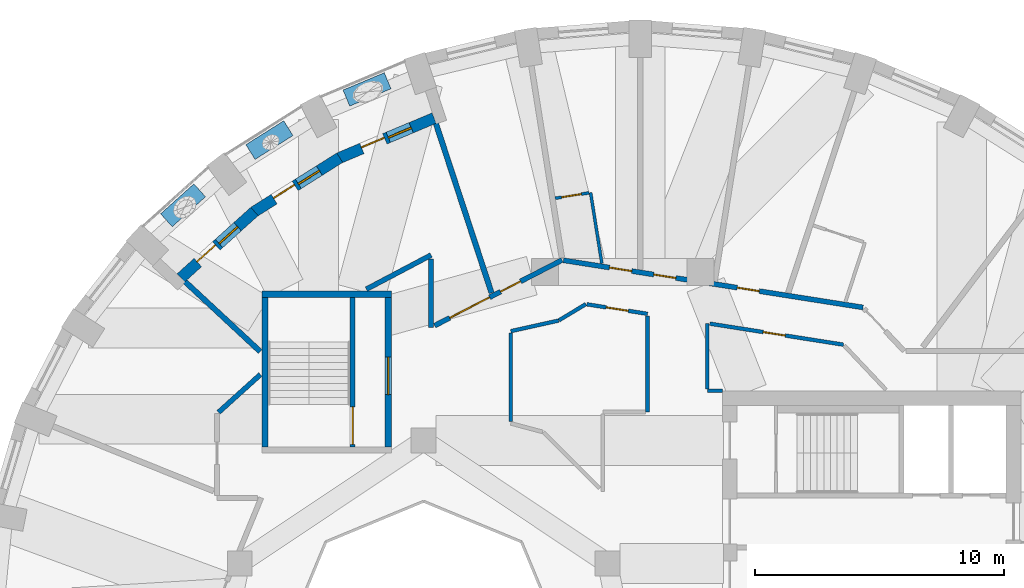
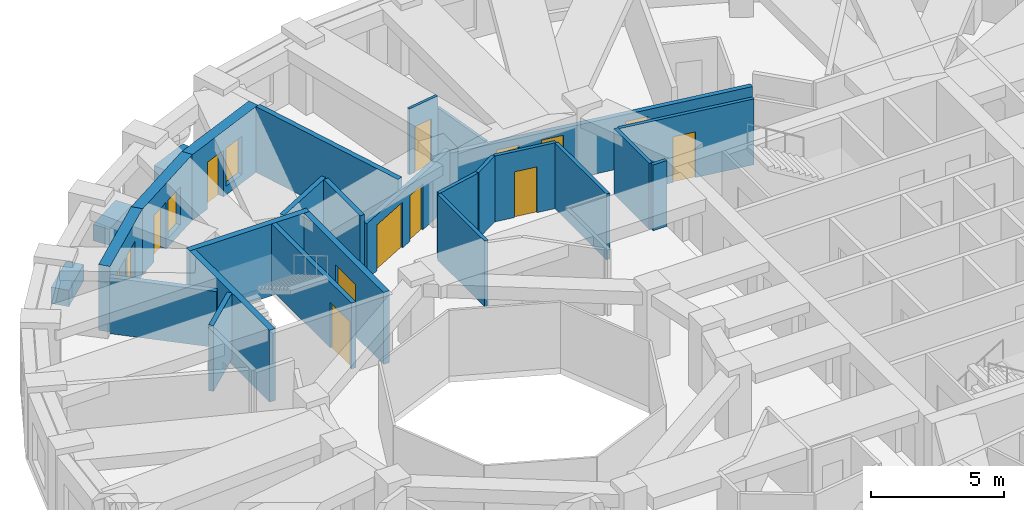
# One storey, part 7 of 12: 27 walls, 13 doors, 3 windows, 16 openings.
"""IFC4 building model written with IfcOpenShell, lengths in metres."""

from ifc_helpers import new_model, si_unit, direction, frame, frame_2d, origin, place, context, subcontext, project, spatial, rectangle, extrude, material, layer, layer_set, constituent, constituent_set, type_object, element, fill, save


model = new_model("IFC4")

# Units and contexts
model_context = context("Model", 3, precision=1e-05, world=origin(), true_north=direction((0.0, 1.0)))
body_context = subcontext(model_context, "Body", "Model", "MODEL_VIEW")
ifc_project = project(units=[si_unit("LENGTHUNIT", "METRE"), si_unit("AREAUNIT", "SQUARE_METRE"), si_unit("VOLUMEUNIT", "CUBIC_METRE"), si_unit("PLANEANGLEUNIT", "RADIAN"), si_unit("MASSUNIT", "GRAM", prefix="KILO")], contexts=[model_context])

# Site, building, storey
site_placement = place(None, origin())
site = spatial("IfcSite", under=ifc_project, at=site_placement, CompositionType="ELEMENT")
building_placement = place(site_placement, origin())
building = spatial("IfcBuilding", under=site, at=building_placement, Name="Taillehof Tower", CompositionType="ELEMENT")
storey_placement = place(building_placement, frame((0.0, 0.0, 209.0)))
storey = spatial("IfcBuildingStorey", under=building, at=storey_placement, Name="L59", CompositionType="ELEMENT", Elevation=209.0)

# Wall, openings, door, window
ifc_material_1 = material(Name="Brick masonry", Category="masonry")
ifc_layer_1 = layer(ifc_material_1, 0.449951171875)
ifc_layer_set_1 = layer_set([ifc_layer_1], Name="Brick infill wall 450")
wall_type_1 = type_object("IfcWallType", Name="Brick infill wall 450", PredefinedType="SOLIDWALL", material=ifc_layer_set_1)
wall_1_placement = place(storey_placement, frame((-7.57861328125, 20.9580078125, 0.0), z_axis=(0.0, 0.0, 1.0), x_axis=(-0.921750495838, -0.387783474923, 0.0)))
wall_1 = element("IfcWall", 1, at=wall_1_placement, inside=storey, type_object=wall_type_1, Name="Brick wall L59 pocket bay 12", PredefinedType="SOLIDWALL", context=body_context, shape_type="SweptSolid", body=[
    extrude(rectangle(XDim=4.150146484375, YDim=0.449951171875, at=frame_2d((2.0751953125, 0.0))), origin(), (0.0, 0.0, 1.0), 3.02001953125),
])
opening_1_placement = place(wall_1_placement, frame((1.0, 0.0, 0.39990234375)))
opening_1 = element("IfcOpeningElement", 2, at=opening_1_placement, cuts=wall_1, Name="Opening W5", PredefinedType="OPENING", context=body_context, shape_type="SweptSolid", body=[
    extrude(rectangle(XDim=1.0, YDim=1.75, at=frame_2d((0.5, 0.875))), frame((0.0, 0.23486328125, 0.0), z_axis=(0.0, -1.0, 0.0), x_axis=(1.0, 0.0, 0.0)), (0.0, 0.0, 1.0), 0.469970703125),
])
opening_2_placement = place(wall_1_placement, frame((2.150146484375, 0.0, 0.0)))
opening_2 = element("IfcOpeningElement", 3, at=opening_2_placement, cuts=wall_1, Name="Opening D5994", PredefinedType="OPENING", context=body_context, shape_type="SweptSolid", body=[
    extrude(rectangle(XDim=1.0, YDim=2.14990234375, at=frame_2d((0.5, 1.074951171875))), frame((0.0, 0.23486328125, 0.0), z_axis=(0.0, -1.0, 0.0), x_axis=(1.0, 0.0, 0.0)), (0.0, 0.0, 1.0), 0.469970703125),
])
ifc_material_2 = material(Name="Aluminium door frame with clear double glazing", Category="aluminium")
door_type_1 = type_object("IfcDoorType", Name="Balcony door 1000x2150", OperationType="SINGLE_SWING_RIGHT", PredefinedType="DOOR", material=ifc_material_2)
door_1_placement = place(opening_2_placement, frame((1.0, 0.0, 0.0), z_axis=(0.0, 0.0, 1.0), x_axis=(-1.0, 0.0, 0.0)))
door_1 = element("IfcDoor", 4, at=door_1_placement, inside=storey, type_object=door_type_1, Name="Balcony door L59 bay 12", OperationType="SINGLE_SWING_RIGHT", OverallHeight=2.14990234375, OverallWidth=1.0, PredefinedType="DOOR", context=body_context, shape_type="SweptSolid", body=[
    extrude(rectangle(XDim=1.0, YDim=2.14990234375, at=frame_2d((0.5, 1.074951171875))), frame((0.0, 0.0751953125, 0.0), z_axis=(0.0, -1.0, 0.0), x_axis=(1.0, 0.0, 0.0)), (0.0, 0.0, 1.0), 0.050048828125),
])
fill(opening_2, door_1)
ifc_material_3 = material(Name="Aluminium window frame with clear double glazing", Category="aluminium")
window_type = type_object("IfcWindowType", Name="Fixed window 1000x1750", PartitioningType="SINGLE_PANEL", PredefinedType="WINDOW", material=ifc_material_3)
window_1_placement = place(opening_1_placement, origin())
window_1 = element("IfcWindow", 5, at=window_1_placement, inside=storey, type_object=window_type, Name="W5", OverallHeight=1.75, OverallWidth=1.0, PartitioningType="SINGLE_PANEL", PredefinedType="WINDOW", context=body_context, shape_type="SweptSolid", body=[
    extrude(rectangle(XDim=1.0, YDim=1.75, at=frame_2d((0.5, 0.875))), frame((0.0, 0.034912109375, 0.0), z_axis=(0.0, -1.0, 0.0), x_axis=(1.0, 0.0, 0.0)), (0.0, 0.0, 1.0), 0.06005859375),
])
fill(opening_1, window_1)

wall_2_placement = place(storey_placement, frame((-11.37109375, 19.365966796875, 0.0), z_axis=(0.0, 0.0, 1.0), x_axis=(-0.845443515445, -0.534064848302, 0.0)))
wall_2 = element("IfcWall", 6, at=wall_2_placement, inside=storey, type_object=wall_type_1, Name="Brick wall L59 pocket bay 13", PredefinedType="SOLIDWALL", context=body_context, shape_type="SweptSolid", body=[
    extrude(rectangle(XDim=4.090576171875, YDim=0.449951171875, at=frame_2d((2.04541015625, 0.0))), origin(), (0.0, 0.0, 1.0), 3.02001953125),
])
opening_3_placement = place(wall_2_placement, frame((0.97021484375, 0.0, 0.39990234375)))
opening_3 = element("IfcOpeningElement", 7, at=opening_3_placement, cuts=wall_2, Name="Opening W5", PredefinedType="OPENING", context=body_context, shape_type="SweptSolid", body=[
    extrude(rectangle(XDim=1.0, YDim=1.75, at=frame_2d((0.5, 0.875))), frame((0.0, 0.23486328125, 0.0), z_axis=(0.0, -1.0, 0.0), x_axis=(1.0, 0.0, 0.0)), (0.0, 0.0, 1.0), 0.469970703125),
])
opening_4_placement = place(wall_2_placement, frame((2.1201171875, 0.0, 0.0)))
opening_4 = element("IfcOpeningElement", 8, at=opening_4_placement, cuts=wall_2, Name="Opening D5995", PredefinedType="OPENING", context=body_context, shape_type="SweptSolid", body=[
    extrude(rectangle(XDim=1.0, YDim=2.14990234375, at=frame_2d((0.5, 1.074951171875))), frame((0.0, 0.23486328125, 0.0), z_axis=(0.0, -1.0, 0.0), x_axis=(1.0, 0.0, 0.0)), (0.0, 0.0, 1.0), 0.469970703125),
])
door_2_placement = place(opening_4_placement, frame((1.0, 0.0, 0.0), z_axis=(0.0, 0.0, 1.0), x_axis=(-1.0, 0.0, 0.0)))
door_2 = element("IfcDoor", 9, at=door_2_placement, inside=storey, type_object=door_type_1, Name="Balcony door L59 bay 13", OperationType="SINGLE_SWING_LEFT", OverallHeight=2.14990234375, OverallWidth=1.0, PredefinedType="DOOR", context=body_context, shape_type="SweptSolid", body=[
    extrude(rectangle(XDim=1.0, YDim=2.14990234375, at=frame_2d((0.5, 1.074951171875))), frame((0.0, 0.0751953125, 0.0), z_axis=(0.0, -1.0, 0.0), x_axis=(1.0, 0.0, 0.0)), (0.0, 0.0, 1.0), 0.050048828125),
])
fill(opening_4, door_2)
window_2_placement = place(opening_3_placement, origin())
window_2 = element("IfcWindow", 10, at=window_2_placement, inside=storey, type_object=window_type, Name="W5", OverallHeight=1.75, OverallWidth=1.0, PartitioningType="SINGLE_PANEL", PredefinedType="WINDOW", context=body_context, shape_type="SweptSolid", body=[
    extrude(rectangle(XDim=1.0, YDim=1.75, at=frame_2d((0.5, 0.875))), frame((0.0, 0.034912109375, 0.0), z_axis=(0.0, -1.0, 0.0), x_axis=(1.0, 0.0, 0.0)), (0.0, 0.0, 1.0), 0.06005859375),
])
fill(opening_3, window_2)

wall_3_placement = place(storey_placement, frame((-14.798828125, 17.20458984375, 0.0), z_axis=(0.0, 0.0, 1.0), x_axis=(-0.742488361714, -0.669858964798, 0.0)))
wall_3 = element("IfcWall", 11, at=wall_3_placement, inside=storey, type_object=wall_type_1, Name="Brick wall L59 pocket bay 14", PredefinedType="SOLIDWALL", context=body_context, shape_type="SweptSolid", body=[
    extrude(rectangle(XDim=3.97998046875, YDim=0.449951171875, at=frame_2d((1.989990234375, 0.0))), origin(), (0.0, 0.0, 1.0), 3.02001953125),
])
opening_5_placement = place(wall_3_placement, frame((0.9150390625, 0.0, 0.39990234375)))
opening_5 = element("IfcOpeningElement", 12, at=opening_5_placement, cuts=wall_3, Name="Opening W5", PredefinedType="OPENING", context=body_context, shape_type="SweptSolid", body=[
    extrude(rectangle(XDim=1.0, YDim=1.75, at=frame_2d((0.5, 0.875))), frame((0.0, 0.23486328125, 0.0), z_axis=(0.0, -1.0, 0.0), x_axis=(1.0, 0.0, 0.0)), (0.0, 0.0, 1.0), 0.469970703125),
])
opening_6_placement = place(wall_3_placement, frame((2.06494140625, 0.0, 0.0)))
opening_6 = element("IfcOpeningElement", 13, at=opening_6_placement, cuts=wall_3, Name="Opening D5996", PredefinedType="OPENING", context=body_context, shape_type="SweptSolid", body=[
    extrude(rectangle(XDim=1.0, YDim=2.14990234375, at=frame_2d((0.5, 1.074951171875))), frame((0.0, 0.23486328125, 0.0), z_axis=(0.0, -1.0, 0.0), x_axis=(1.0, 0.0, 0.0)), (0.0, 0.0, 1.0), 0.469970703125),
])
door_3_placement = place(opening_6_placement, frame((1.0, 0.0, 0.0), z_axis=(0.0, 0.0, 1.0), x_axis=(-1.0, 0.0, 0.0)))
door_3 = element("IfcDoor", 14, at=door_3_placement, inside=storey, type_object=door_type_1, Name="Balcony door L59 bay 14", OperationType="SINGLE_SWING_LEFT", OverallHeight=2.14990234375, OverallWidth=1.0, PredefinedType="DOOR", context=body_context, shape_type="SweptSolid", body=[
    extrude(rectangle(XDim=1.0, YDim=2.14990234375, at=frame_2d((0.5, 1.074951171875))), frame((0.0, 0.0751953125, 0.0), z_axis=(0.0, -1.0, 0.0), x_axis=(1.0, 0.0, 0.0)), (0.0, 0.0, 1.0), 0.050048828125),
])
fill(opening_6, door_3)
window_3_placement = place(opening_5_placement, origin())
window_3 = element("IfcWindow", 15, at=window_3_placement, inside=storey, type_object=window_type, Name="W5", OverallHeight=1.75, OverallWidth=1.0, PartitioningType="SINGLE_PANEL", PredefinedType="WINDOW", context=body_context, shape_type="SweptSolid", body=[
    extrude(rectangle(XDim=1.0, YDim=1.75, at=frame_2d((0.5, 0.875))), frame((0.0, 0.034912109375, 0.0), z_axis=(0.0, -1.0, 0.0), x_axis=(1.0, 0.0, 0.0)), (0.0, 0.0, 1.0), 0.06005859375),
])
fill(opening_5, window_3)

# Walls
ifc_material_4 = material(Name="Gypsum board on steel studs, two layers each side", Category="steel")
ifc_layer_2 = layer(ifc_material_4, 0.199951171875)
ifc_layer_set_2 = layer_set([ifc_layer_2], Name="Compartment wall corridor 200")
wall_type_2 = type_object("IfcWallType", Name="Compartment wall corridor 200", PredefinedType="PARTITIONING", material=ifc_layer_set_2)
wall_4_placement = place(storey_placement, frame((-16.240478515625, 9.136474609375, 0.0), z_axis=(0.0, 0.0, 1.0), x_axis=(0.74251608424, 0.66982823518, 0.0)))
element("IfcWall", 16, at=wall_4_placement, inside=storey, type_object=wall_type_2, Name="Compartment wall", PredefinedType="PARTITIONING", context=body_context, shape_type="SweptSolid", body=[
    extrude(rectangle(XDim=2.263916015625, YDim=0.199951171875, at=frame_2d((1.1318359375, 0.0))), origin(), (0.0, 0.0, 1.0), 3.02001953125),
])
wall_5_placement = place(storey_placement, frame((-10.303955078125, 14.08056640625, 0.0), z_axis=(0.0, 0.0, 1.0), x_axis=(0.884325802624, 0.466870297635, 0.0)))
element("IfcWall", 17, at=wall_5_placement, inside=storey, type_object=wall_type_2, Name="Compartment wall", PredefinedType="PARTITIONING", context=body_context, shape_type="SweptSolid", body=[
    extrude(rectangle(XDim=2.944580078125, YDim=0.199951171875, at=frame_2d((1.47216796875, 0.0))), origin(), (0.0, 0.0, 1.0), 3.02001953125),
])
wall_6_placement = place(storey_placement, frame((-7.699951171875, 15.295166015625, 0.0), z_axis=(0.0, 0.0, 1.0), x_axis=(0.0, -1.0, 0.0)))
element("IfcWall", 18, at=wall_6_placement, inside=storey, type_object=wall_type_2, Name="Compartment wall", PredefinedType="PARTITIONING", context=body_context, shape_type="SweptSolid", body=[
    extrude(rectangle(XDim=2.748779296875, YDim=0.199951171875, at=frame_2d((1.37451171875, 0.0))), origin(), (0.0, 0.0, 1.0), 3.02001953125),
])

# Wall, openings, doors
wall_7_placement = place(storey_placement, frame((-7.557373046875, 12.61865234375, 0.0), z_axis=(0.0, 0.0, 1.0), x_axis=(0.889086035914, 0.457740123588, 0.0)))
wall_7 = element("IfcWall", 19, at=wall_7_placement, inside=storey, type_object=wall_type_2, Name="Compartment wall", PredefinedType="PARTITIONING", context=body_context, shape_type="SweptSolid", body=[
    extrude(rectangle(XDim=5.75341796875, YDim=0.199951171875, at=frame_2d((2.876708984375, 0.0))), origin(), (0.0, 0.0, 1.0), 2.570068359375),
])
opening_7_placement = place(wall_7_placement, frame((2.983154296875, 0.0, 0.0)))
opening_7 = element("IfcOpeningElement", 20, at=opening_7_placement, cuts=wall_7, Name="Opening D5946", PredefinedType="OPENING", context=body_context, shape_type="SweptSolid", body=[
    extrude(rectangle(XDim=0.89990234375, YDim=2.10009765625, at=frame_2d((0.449951171875, 1.050048828125))), frame((0.0, 0.10986328125, 0.0), z_axis=(0.0, -1.0, 0.0), x_axis=(1.0, 0.0, 0.0)), (0.0, 0.0, 1.0), 0.219970703125),
])
opening_8_placement = place(wall_7_placement, frame((0.6845703125, 0.0, 0.0)))
opening_8 = element("IfcOpeningElement", 21, at=opening_8_placement, cuts=wall_7, Name="Opening D5947", PredefinedType="OPENING", context=body_context, shape_type="SweptSolid", body=[
    extrude(rectangle(XDim=1.800048828125, YDim=2.10009765625, at=frame_2d((0.89990234375, 1.050048828125))), frame((0.0, 0.10986328125, 0.0), z_axis=(0.0, -1.0, 0.0), x_axis=(1.0, 0.0, 0.0)), (0.0, 0.0, 1.0), 0.219970703125),
])
ifc_material_5 = material(Name="Timber door leaf in steel frame", Category="steel")
door_type_2 = type_object("IfcDoorType", Name="Lounge and meeting room double door EI 30 1800 x 2100", OperationType="SINGLE_SWING_LEFT", PredefinedType="DOOR", material=ifc_material_5)
door_4_placement = place(opening_8_placement, origin())
door_4 = element("IfcDoor", 22, at=door_4_placement, inside=storey, type_object=door_type_2, Name="D5947", OperationType="DOUBLE_DOOR_SINGLE_SWING", OverallHeight=2.10009765625, OverallWidth=1.800048828125, PredefinedType="DOOR", context=body_context, shape_type="SweptSolid", body=[
    extrude(rectangle(XDim=1.800048828125, YDim=2.10009765625, at=frame_2d((0.89990234375, 1.050048828125))), frame((0.0, 0.02490234375, 0.0), z_axis=(0.0, -1.0, 0.0), x_axis=(1.0, 0.0, 0.0)), (0.0, 0.0, 1.0), 0.050048828125),
])
fill(opening_8, door_4)
ifc_material_6 = material(Name="Timber door leaf in steel frame", Category="steel")
door_type_3 = type_object("IfcDoorType", Name="Service room door EI 30 900 x 2100", OperationType="SINGLE_SWING_LEFT", PredefinedType="DOOR", material=ifc_material_6)
door_5_placement = place(opening_7_placement, origin())
door_5 = element("IfcDoor", 23, at=door_5_placement, inside=storey, type_object=door_type_3, Name="D5946", OperationType="SINGLE_SWING_LEFT", OverallHeight=2.10009765625, OverallWidth=0.89990234375, PredefinedType="DOOR", context=body_context, shape_type="SweptSolid", body=[
    extrude(rectangle(XDim=0.89990234375, YDim=2.10009765625, at=frame_2d((0.449951171875, 1.050048828125))), frame((0.0, 0.02490234375, 0.0), z_axis=(0.0, -1.0, 0.0), x_axis=(1.0, 0.0, 0.0)), (0.0, 0.0, 1.0), 0.050048828125),
])
fill(opening_7, door_5)

wall_8_placement = place(storey_placement, frame((-2.3828125, 15.24267578125, 0.0), z_axis=(0.0, 0.0, 1.0), x_axis=(0.987842256944, -0.15545956193, 0.0)))
wall_8 = element("IfcWall", 24, at=wall_8_placement, inside=storey, type_object=wall_type_2, Name="Compartment wall", PredefinedType="PARTITIONING", context=body_context, shape_type="SweptSolid", body=[
    extrude(rectangle(XDim=12.188232421875, YDim=0.199951171875, at=frame_2d((6.09423828125, 0.0))), origin(), (0.0, 0.0, 1.0), 2.419921875),
])
opening_9_placement = place(wall_8_placement, frame((7.06884765625, 0.0, 0.0)))
opening_9 = element("IfcOpeningElement", 25, at=opening_9_placement, cuts=wall_8, Name="Opening D5942", PredefinedType="OPENING", context=body_context, shape_type="SweptSolid", body=[
    extrude(rectangle(XDim=0.89990234375, YDim=2.10009765625, at=frame_2d((0.449951171875, 1.050048828125))), frame((0.0, 0.10986328125, 0.0), z_axis=(0.0, -1.0, 0.0), x_axis=(1.0, 0.0, 0.0)), (0.0, 0.0, 1.0), 0.219970703125),
])
opening_10_placement = place(wall_8_placement, frame((3.67578125, 0.0, 0.0)))
opening_10 = element("IfcOpeningElement", 26, at=opening_10_placement, cuts=wall_8, Name="Opening D5943", PredefinedType="OPENING", context=body_context, shape_type="SweptSolid", body=[
    extrude(rectangle(XDim=0.89990234375, YDim=2.10009765625, at=frame_2d((0.449951171875, 1.050048828125))), frame((0.0, 0.10986328125, 0.0), z_axis=(0.0, -1.0, 0.0), x_axis=(1.0, 0.0, 0.0)), (0.0, 0.0, 1.0), 0.219970703125),
])
opening_11_placement = place(wall_8_placement, frame((1.875244140625, 0.0, 0.0)))
opening_11 = element("IfcOpeningElement", 27, at=opening_11_placement, cuts=wall_8, Name="Opening D5944", PredefinedType="OPENING", context=body_context, shape_type="SweptSolid", body=[
    extrude(rectangle(XDim=0.89990234375, YDim=2.10009765625, at=frame_2d((0.449951171875, 1.050048828125))), frame((0.0, 0.10986328125, 0.0), z_axis=(0.0, -1.0, 0.0), x_axis=(1.0, 0.0, 0.0)), (0.0, 0.0, 1.0), 0.219970703125),
])
ifc_material_7 = material(Name="Timber door leaf in steel frame", Category="steel")
door_type_4 = type_object("IfcDoorType", Name="Guest room door EI 30 900 x 2100", OperationType="SINGLE_SWING_LEFT", PredefinedType="DOOR", material=ifc_material_7)
door_6_placement = place(opening_11_placement, origin())
door_6 = element("IfcDoor", 28, at=door_6_placement, inside=storey, type_object=door_type_4, Name="D5944", OperationType="SINGLE_SWING_RIGHT", OverallHeight=2.10009765625, OverallWidth=0.89990234375, PredefinedType="DOOR", context=body_context, shape_type="SweptSolid", body=[
    extrude(rectangle(XDim=0.89990234375, YDim=2.10009765625, at=frame_2d((0.449951171875, 1.050048828125))), frame((0.0, 0.02490234375, 0.0), z_axis=(0.0, -1.0, 0.0), x_axis=(1.0, 0.0, 0.0)), (0.0, 0.0, 1.0), 0.050048828125),
])
fill(opening_11, door_6)
door_7_placement = place(opening_9_placement, origin())
door_7 = element("IfcDoor", 29, at=door_7_placement, inside=storey, type_object=door_type_3, Name="D5942", OperationType="SINGLE_SWING_LEFT", OverallHeight=2.10009765625, OverallWidth=0.89990234375, PredefinedType="DOOR", context=body_context, shape_type="SweptSolid", body=[
    extrude(rectangle(XDim=0.89990234375, YDim=2.10009765625, at=frame_2d((0.449951171875, 1.050048828125))), frame((0.0, 0.02490234375, 0.0), z_axis=(0.0, -1.0, 0.0), x_axis=(1.0, 0.0, 0.0)), (0.0, 0.0, 1.0), 0.050048828125),
])
fill(opening_9, door_7)
door_8_placement = place(opening_10_placement, origin())
door_8 = element("IfcDoor", 30, at=door_8_placement, inside=storey, type_object=door_type_3, Name="D5943", OperationType="SINGLE_SWING_LEFT", OverallHeight=2.10009765625, OverallWidth=0.89990234375, PredefinedType="DOOR", context=body_context, shape_type="SweptSolid", body=[
    extrude(rectangle(XDim=0.89990234375, YDim=2.10009765625, at=frame_2d((0.449951171875, 1.050048828125))), frame((0.0, 0.02490234375, 0.0), z_axis=(0.0, -1.0, 0.0), x_axis=(1.0, 0.0, 0.0)), (0.0, 0.0, 1.0), 0.050048828125),
])
fill(opening_10, door_8)

# Walls
ifc_material_8 = material(Name="Gypsum board on double steel studs with mineral wool", Category="steel")
ifc_layer_3 = layer(ifc_material_8, 0.219970703125)
ifc_layer_set_3 = layer_set([ifc_layer_3], Name="Compartment wall guest room 220")
wall_type_3 = type_object("IfcWallType", Name="Compartment wall guest room 220", PredefinedType="PARTITIONING", material=ifc_layer_set_3)
wall_9_placement = place(storey_placement, frame((-7.508056640625, 20.743408203125, 0.0), z_axis=(0.0, 0.0, 1.0), x_axis=(0.31199567476, -0.950083522082, 0.0)))
element("IfcWall", 31, at=wall_9_placement, inside=storey, type_object=wall_type_3, Name="Compartment wall", PredefinedType="PARTITIONING", context=body_context, shape_type="SweptSolid", body=[
    extrude(rectangle(XDim=7.170166015625, YDim=0.219970703125, at=frame_2d((3.5849609375, 0.0))), origin(), (0.0, 0.0, 1.0), 3.02001953125),
])
wall_10_placement = place(storey_placement, frame((-17.588623046875, 14.384765625, 0.0), z_axis=(0.0, 0.0, 1.0), x_axis=(0.732287016614, -0.680996127227, 0.0)))
element("IfcWall", 32, at=wall_10_placement, inside=storey, type_object=wall_type_3, Name="Compartment wall", PredefinedType="PARTITIONING", context=body_context, shape_type="SweptSolid", body=[
    extrude(rectangle(XDim=4.1220703125, YDim=0.219970703125, at=frame_2d((2.06103515625, 0.0))), origin(), (0.0, 0.0, 1.0), 2.570068359375),
])
ifc_material_9 = material(Name="Gypsum board on steel studs, two layers each side", Category="steel")
ifc_layer_4 = layer(ifc_material_9, 0.14990234375)
ifc_layer_set_4 = layer_set([ifc_layer_4], Name="Compartment wall service room 150")
wall_type_4 = type_object("IfcWallType", Name="Compartment wall service room 150", PredefinedType="PARTITIONING", material=ifc_layer_set_4)
wall_11_placement = place(storey_placement, frame((4.0009765625, 10.0, 0.0), z_axis=(0.0, 0.0, 1.0), x_axis=(-1.0, 0.0, 0.0)))
element("IfcWall", 33, at=wall_11_placement, inside=storey, type_object=wall_type_4, Name="Compartment wall", PredefinedType="PARTITIONING", context=body_context, shape_type="SweptSolid", body=[
    extrude(rectangle(XDim=0.60107421875, YDim=0.14990234375, at=frame_2d((0.300537109375, 0.0))), origin(), (0.0, 0.0, 1.0), 3.02001953125),
])
wall_12_placement = place(storey_placement, frame((3.39990234375, 10.080078125, 0.0), z_axis=(0.0, 0.0, 1.0), x_axis=(0.0, 1.0, 0.0)))
element("IfcWall", 34, at=wall_12_placement, inside=storey, type_object=wall_type_4, Name="Compartment wall", PredefinedType="PARTITIONING", context=body_context, shape_type="SweptSolid", body=[
    extrude(rectangle(XDim=2.6328125, YDim=0.14990234375, at=frame_2d((1.31640625, 0.0))), origin(), (0.0, 0.0, 1.0), 3.02001953125),
])

# Wall, opening, door
wall_13_placement = place(storey_placement, frame((3.498779296875, 12.697021484375, 0.0), z_axis=(0.0, 0.0, 1.0), x_axis=(0.987853106423, -0.155390605029, 0.0)))
wall_13 = element("IfcWall", 35, at=wall_13_placement, inside=storey, type_object=wall_type_4, Name="Compartment wall", PredefinedType="PARTITIONING", context=body_context, shape_type="SweptSolid", body=[
    extrude(rectangle(XDim=5.43603515625, YDim=0.14990234375, at=frame_2d((2.718017578125, 0.0))), origin(), (0.0, 0.0, 1.0), 3.02001953125),
])
opening_12_placement = place(wall_13_placement, frame((2.166748046875, 0.0, 0.0)))
opening_12 = element("IfcOpeningElement", 36, at=opening_12_placement, cuts=wall_13, Name="Opening D5965", PredefinedType="OPENING", context=body_context, shape_type="SweptSolid", body=[
    extrude(rectangle(XDim=0.89990234375, YDim=2.10009765625, at=frame_2d((0.449951171875, 1.050048828125))), frame((0.0, 0.0849609375, 0.0), z_axis=(0.0, -1.0, 0.0), x_axis=(1.0, 0.0, 0.0)), (0.0, 0.0, 1.0), 0.169921875),
])
door_9_placement = place(opening_12_placement, origin())
door_9 = element("IfcDoor", 37, at=door_9_placement, inside=storey, type_object=door_type_3, Name="D5965", OperationType="SINGLE_SWING_RIGHT", OverallHeight=2.10009765625, OverallWidth=0.89990234375, PredefinedType="DOOR", context=body_context, shape_type="SweptSolid", body=[
    extrude(rectangle(XDim=0.89990234375, YDim=2.10009765625, at=frame_2d((0.449951171875, 1.050048828125))), frame((0.0, 0.02490234375, 0.0), z_axis=(0.0, -1.0, 0.0), x_axis=(1.0, 0.0, 0.0)), (0.0, 0.0, 1.0), 0.050048828125),
])
fill(opening_12, door_9)

# Walls
wall_14_placement = place(storey_placement, frame((-4.5, 12.393798828125, 0.0), z_axis=(0.0, 0.0, 1.0), x_axis=(0.976122911094, 0.217218927437, 0.0)))
element("IfcWall", 38, at=wall_14_placement, inside=storey, type_object=wall_type_4, Name="Compartment wall", PredefinedType="PARTITIONING", context=body_context, shape_type="SweptSolid", body=[
    extrude(rectangle(XDim=1.971435546875, YDim=0.14990234375, at=frame_2d((0.98583984375, 0.0))), origin(), (0.0, 0.0, 1.0), 3.02001953125),
])
wall_15_placement = place(storey_placement, frame((-2.55859375, 12.832275390625, 0.0), z_axis=(0.0, 0.0, 1.0), x_axis=(0.85627358004, 0.5165225611, 0.0)))
element("IfcWall", 39, at=wall_15_placement, inside=storey, type_object=wall_type_4, Name="Compartment wall", PredefinedType="PARTITIONING", context=body_context, shape_type="SweptSolid", body=[
    extrude(rectangle(XDim=1.2568359375, YDim=0.14990234375, at=frame_2d((0.62841796875, 0.0))), origin(), (0.0, 0.0, 1.0), 3.02001953125),
])

# Wall, opening, door
wall_16_placement = place(storey_placement, frame((-1.44287109375, 13.47509765625, 0.0), z_axis=(0.0, 0.0, 1.0), x_axis=(0.987852456019, -0.155394739734, 0.0)))
wall_16 = element("IfcWall", 40, at=wall_16_placement, inside=storey, type_object=wall_type_4, Name="Compartment wall", PredefinedType="PARTITIONING", context=body_context, shape_type="SweptSolid", body=[
    extrude(rectangle(XDim=2.472900390625, YDim=0.14990234375, at=frame_2d((1.236328125, 0.0))), origin(), (0.0, 0.0, 1.0), 3.02001953125),
])
opening_13_placement = place(wall_16_placement, frame((0.786376953125, 0.0, 0.0)))
opening_13 = element("IfcOpeningElement", 41, at=opening_13_placement, cuts=wall_16, Name="Opening D5966", PredefinedType="OPENING", context=body_context, shape_type="SweptSolid", body=[
    extrude(rectangle(XDim=0.89990234375, YDim=2.10009765625, at=frame_2d((0.449951171875, 1.050048828125))), frame((0.0, 0.0849609375, 0.0), z_axis=(0.0, -1.0, 0.0), x_axis=(1.0, 0.0, 0.0)), (0.0, 0.0, 1.0), 0.169921875),
])
door_10_placement = place(opening_13_placement, origin())
door_10 = element("IfcDoor", 42, at=door_10_placement, inside=storey, type_object=door_type_3, Name="D5966", OperationType="SINGLE_SWING_RIGHT", OverallHeight=2.10009765625, OverallWidth=0.89990234375, PredefinedType="DOOR", context=body_context, shape_type="SweptSolid", body=[
    extrude(rectangle(XDim=0.89990234375, YDim=2.10009765625, at=frame_2d((0.449951171875, 1.050048828125))), frame((0.0, 0.02490234375, 0.0), z_axis=(0.0, -1.0, 0.0), x_axis=(1.0, 0.0, 0.0)), (0.0, 0.0, 1.0), 0.050048828125),
])
fill(opening_13, door_10)

# Walls
wall_17_placement = place(storey_placement, frame((1.0, 13.0107421875, 0.0), z_axis=(0.0, 0.0, 1.0), x_axis=(0.0, -1.0, 0.0)))
element("IfcWall", 43, at=wall_17_placement, inside=storey, type_object=wall_type_4, Name="Compartment wall", PredefinedType="PARTITIONING", context=body_context, shape_type="SweptSolid", body=[
    extrude(rectangle(XDim=3.86083984375, YDim=0.14990234375, at=frame_2d((1.930419921875, 0.0))), origin(), (0.0, 0.0, 1.0), 3.02001953125),
])
wall_18_placement = place(storey_placement, frame((-4.5, 8.770263671875, 0.0), z_axis=(0.0, 0.0, 1.0), x_axis=(0.0, 1.0, 0.0)))
element("IfcWall", 44, at=wall_18_placement, inside=storey, type_object=wall_type_4, Name="Compartment wall", PredefinedType="PARTITIONING", context=body_context, shape_type="SweptSolid", body=[
    extrude(rectangle(XDim=3.54345703125, YDim=0.14990234375, at=frame_2d((1.771728515625, 0.0))), origin(), (0.0, 0.0, 1.0), 3.02001953125),
])
ifc_material_10 = material(Name="Gypsum board on steel studs, moisture resistant", Category="steel")
ifc_layer_5 = layer(ifc_material_10, 0.1201171875)
ifc_layer_set_5 = layer_set([ifc_layer_5], Name="En-suite wall 120")
wall_type_5 = type_object("IfcWallType", Name="En-suite wall 120", PredefinedType="PARTITIONING", material=ifc_layer_set_5)
wall_19_placement = place(storey_placement, frame((-0.839111328125, 15.120361328125, 0.0), z_axis=(0.0, 0.0, 1.0), x_axis=(-0.157021029468, 0.987595259357, 0.0)))
element("IfcWall", 45, at=wall_19_placement, inside=storey, type_object=wall_type_5, Name="En-suite wall", PredefinedType="PARTITIONING", context=body_context, shape_type="SweptSolid", body=[
    extrude(rectangle(XDim=2.8779296875, YDim=0.1201171875, at=frame_2d((1.43896484375, 0.0))), origin(), (0.0, 0.0, 1.0), 2.469970703125),
])

# Wall, opening, door
wall_20_placement = place(storey_placement, frame((-1.350341796875, 17.953125, 0.0), z_axis=(0.0, 0.0, 1.0), x_axis=(-0.987585919897, -0.157079759425, 0.0)))
wall_20 = element("IfcWall", 46, at=wall_20_placement, inside=storey, type_object=wall_type_5, Name="En-suite wall", PredefinedType="PARTITIONING", context=body_context, shape_type="SweptSolid", body=[
    extrude(rectangle(XDim=1.380126953125, YDim=0.1201171875, at=frame_2d((0.68994140625, 0.0))), origin(), (0.0, 0.0, 1.0), 3.02001953125),
])
opening_14_placement = place(wall_20_placement, frame((0.31494140625, 0.0, 0.0)))
opening_14 = element("IfcOpeningElement", 47, at=opening_14_placement, cuts=wall_20, Name="Opening D5945", PredefinedType="OPENING", context=body_context, shape_type="SweptSolid", body=[
    extrude(rectangle(XDim=0.800048828125, YDim=2.10009765625, at=frame_2d((0.39990234375, 1.050048828125))), frame((0.0, 0.070068359375, 0.0), z_axis=(0.0, -1.0, 0.0), x_axis=(1.0, 0.0, 0.0)), (0.0, 0.0, 1.0), 0.14013671875),
])
ifc_material_11 = material(Name="Timber door leaf in steel frame", Category="steel")
door_type_5 = type_object("IfcDoorType", Name="En-suite door 800 x 2100", OperationType="SINGLE_SWING_LEFT", PredefinedType="DOOR", material=ifc_material_11)
door_11_placement = place(opening_14_placement, origin())
door_11 = element("IfcDoor", 48, at=door_11_placement, inside=storey, type_object=door_type_5, Name="D5945", OperationType="SINGLE_SWING_LEFT", OverallHeight=2.10009765625, OverallWidth=0.800048828125, PredefinedType="DOOR", context=body_context, shape_type="SweptSolid", body=[
    extrude(rectangle(XDim=0.800048828125, YDim=2.10009765625, at=frame_2d((0.39990234375, 1.050048828125))), frame((0.0, 0.02490234375, 0.0), z_axis=(0.0, -1.0, 0.0), x_axis=(1.0, 0.0, 0.0)), (0.0, 0.0, 1.0), 0.050048828125),
])
fill(opening_14, door_11)

# Walls
ifc_material_12 = material(Name="Concrete C30/37 precast", Category="concrete")
ifc_constituent_1 = constituent(ifc_material_12, Name="Structure", Category="concrete")
ifc_material_13 = material(Name="Insulated lining")
ifc_constituent_2 = constituent(ifc_material_13, Name="Lining")
ifc_constituent_set = constituent_set(constituents=[ifc_constituent_1, ifc_constituent_2], Name="Planter trough 700x750")
wall_type_6 = type_object("IfcWallType", Name="Planter trough 700x750", PredefinedType="USERDEFINED", material=ifc_constituent_set)
for number, where, z_axis, x_axis, name in (
    (49, (-9.446044921875, 22.458251953125, 0.0), (0.0, 0.0, 1.0), (-0.922155368213, -0.386819695564, 0.0), "Planter L59 bay 12"),
    (50, (-13.4365234375, 20.552490234375, 0.0), (0.0, 0.0, 1.0), (-0.84618753864, -0.532885212264, 0.0), "Planter L59 bay 13"),
    (51, (-16.999755859375, 18.054931640625, 0.0), (0.0, 0.0, 1.0), (-0.743422275143, -0.668822338758, 0.0), "Planter L59 bay 14"),
):
    element("IfcWall", number, at=place(storey_placement, frame(where, z_axis=z_axis, x_axis=x_axis)), inside=storey, type_object=wall_type_6, Name=name, ObjectType="PLANTER", PredefinedType="USERDEFINED", context=body_context, shape_type="SweptSolid", body=[
        extrude(rectangle(XDim=1.800048828125, YDim=0.699951171875, at=frame_2d((0.89990234375, 0.0))), origin(), (0.0, 0.0, 1.0), 0.75),
    ])

# Wall, opening, door
ifc_material_14 = material(Name="Concrete C50/60", Category="concrete")
ifc_layer_6 = layer(ifc_material_14, 0.199951171875)
ifc_layer_set_6 = layer_set([ifc_layer_6], Name="Shaft wall C50/60 200")
wall_type_7 = type_object("IfcWallType", Name="Shaft wall C50/60 200", PredefinedType="SHEAR", material=ifc_layer_set_6)
wall_21_placement = place(storey_placement, frame((-10.85009765625, 7.75, 0.0), z_axis=(0.0, 0.0, 1.0), x_axis=(0.0, 1.0, 0.0)))
wall_21 = element("IfcWall", 52, at=wall_21_placement, inside=storey, type_object=wall_type_7, Name="Shaft wall SW", PredefinedType="SHEAR", context=body_context, shape_type="SweptSolid", body=[
    extrude(rectangle(XDim=6.0, YDim=0.199951171875, at=frame_2d((3.0, 0.0))), origin(), (0.0, 0.0, 1.0), 3.02001953125),
])
opening_15_placement = place(wall_21_placement, frame((0.10009765625, 0.0, 0.0)))
opening_15 = element("IfcOpeningElement", 53, at=opening_15_placement, cuts=wall_21, Name="Opening D5912", PredefinedType="OPENING", context=body_context, shape_type="SweptSolid", body=[
    extrude(rectangle(XDim=1.5, YDim=2.10009765625, at=frame_2d((0.75, 1.050048828125))), frame((0.0, 0.10986328125, 0.0), z_axis=(0.0, -1.0, 0.0), x_axis=(1.0, 0.0, 0.0)), (0.0, 0.0, 1.0), 0.219970703125),
])
ifc_material_15 = material(Name="Steel-faced fire door", Category="steel")
door_type_6 = type_object("IfcDoorType", Name="Stair door 1500x2100", OperationType="DOUBLE_DOOR_SINGLE_SWING", PredefinedType="DOOR", material=ifc_material_15)
door_12_placement = place(opening_15_placement, origin())
door_12 = element("IfcDoor", 54, at=door_12_placement, inside=storey, type_object=door_type_6, Name="Stair lobby door S3", OperationType="DOUBLE_DOOR_SINGLE_SWING", OverallHeight=2.10009765625, OverallWidth=1.5, PredefinedType="DOOR", context=body_context, shape_type="SweptSolid", body=[
    extrude(rectangle(XDim=1.5, YDim=2.10009765625, at=frame_2d((0.75, 1.050048828125))), frame((0.0, 0.02490234375, 0.0), z_axis=(0.0, -1.0, 0.0), x_axis=(1.0, 0.0, 0.0)), (0.0, 0.0, 1.0), 0.050048828125),
])
fill(opening_15, door_12)

# Wall
ifc_material_16 = material(Name="Concrete C50/60", Category="concrete")
ifc_layer_7 = layer(ifc_material_16, 0.25)
ifc_layer_set_7 = layer_set([ifc_layer_7], Name="Stair wall C50/60 250")
wall_type_8 = type_object("IfcWallType", Name="Stair wall C50/60 250", PredefinedType="SHEAR", material=ifc_layer_set_7)
wall_22_placement = place(storey_placement, frame((-14.375, 7.75, -0.280029296875), z_axis=(0.0, 0.0, 1.0), x_axis=(0.0, 1.0, 0.0)))
element("IfcWall", 55, at=wall_22_placement, inside=storey, type_object=wall_type_8, Name="Stair wall SC", PredefinedType="SHEAR", context=body_context, shape_type="SweptSolid", body=[
    extrude(rectangle(XDim=6.0, YDim=0.25, at=frame_2d((3.0, 0.0))), origin(), (0.0, 0.0, 1.0), 3.300048828125),
])

# Wall, opening, door
wall_23_placement = place(storey_placement, frame((-9.425048828125, 7.75, -0.280029296875), z_axis=(0.0, 0.0, 1.0), x_axis=(0.0, 1.0, 0.0)))
wall_23 = element("IfcWall", 56, at=wall_23_placement, inside=storey, type_object=wall_type_8, Name="Stair wall SC", PredefinedType="SHEAR", context=body_context, shape_type="SweptSolid", body=[
    extrude(rectangle(XDim=6.0, YDim=0.25, at=frame_2d((3.0, 0.0))), origin(), (0.0, 0.0, 1.0), 3.300048828125),
])
opening_16_placement = place(wall_23_placement, frame((2.10009765625, 0.0, 0.280029296875)))
opening_16 = element("IfcOpeningElement", 57, at=opening_16_placement, cuts=wall_23, Name="Opening D5915", PredefinedType="OPENING", context=body_context, shape_type="SweptSolid", body=[
    extrude(rectangle(XDim=1.5, YDim=2.10009765625, at=frame_2d((0.75, 1.050048828125))), frame((0.0, 0.135009765625, 0.0), z_axis=(0.0, -1.0, 0.0), x_axis=(1.0, 0.0, 0.0)), (0.0, 0.0, 1.0), 0.27001953125),
])
door_13_placement = place(opening_16_placement, origin())
door_13 = element("IfcDoor", 58, at=door_13_placement, inside=storey, type_object=door_type_6, Name="Stair door S3", OperationType="DOUBLE_DOOR_SINGLE_SWING", OverallHeight=2.10009765625, OverallWidth=1.5, PredefinedType="DOOR", context=body_context, shape_type="SweptSolid", body=[
    extrude(rectangle(XDim=1.5, YDim=2.10009765625, at=frame_2d((0.75, 1.050048828125))), frame((0.0, 0.02490234375, 0.0), z_axis=(0.0, -1.0, 0.0), x_axis=(1.0, 0.0, 0.0)), (0.0, 0.0, 1.0), 0.050048828125),
])
fill(opening_16, door_13)

# Wall
wall_24_placement = place(storey_placement, frame((-14.5, 13.875, -0.280029296875), z_axis=(0.0, 0.0, 1.0), x_axis=(1.0, 0.0, 0.0)))
element("IfcWall", 59, at=wall_24_placement, inside=storey, type_object=wall_type_8, Name="Stair wall SC", PredefinedType="SHEAR", context=body_context, shape_type="SweptSolid", body=[
    extrude(rectangle(XDim=5.199951171875, YDim=0.25, at=frame_2d((2.60009765625, 0.0))), origin(), (0.0, 0.0, 1.0), 3.300048828125),
])

save(model, "model.ifc")
